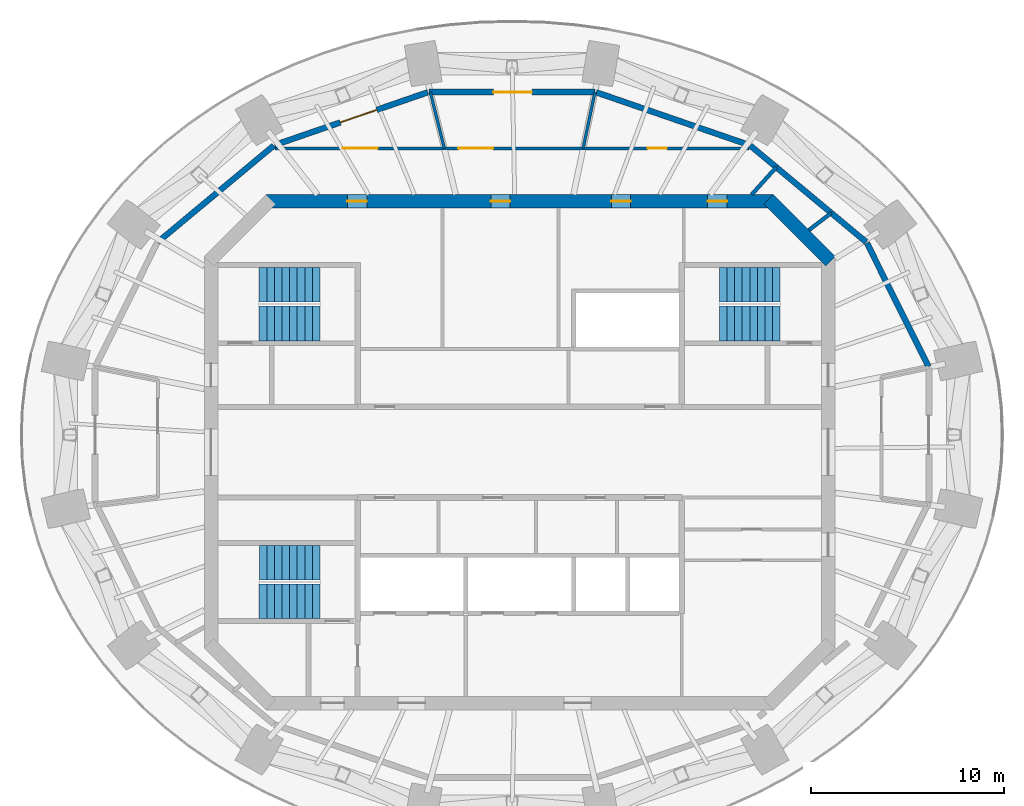
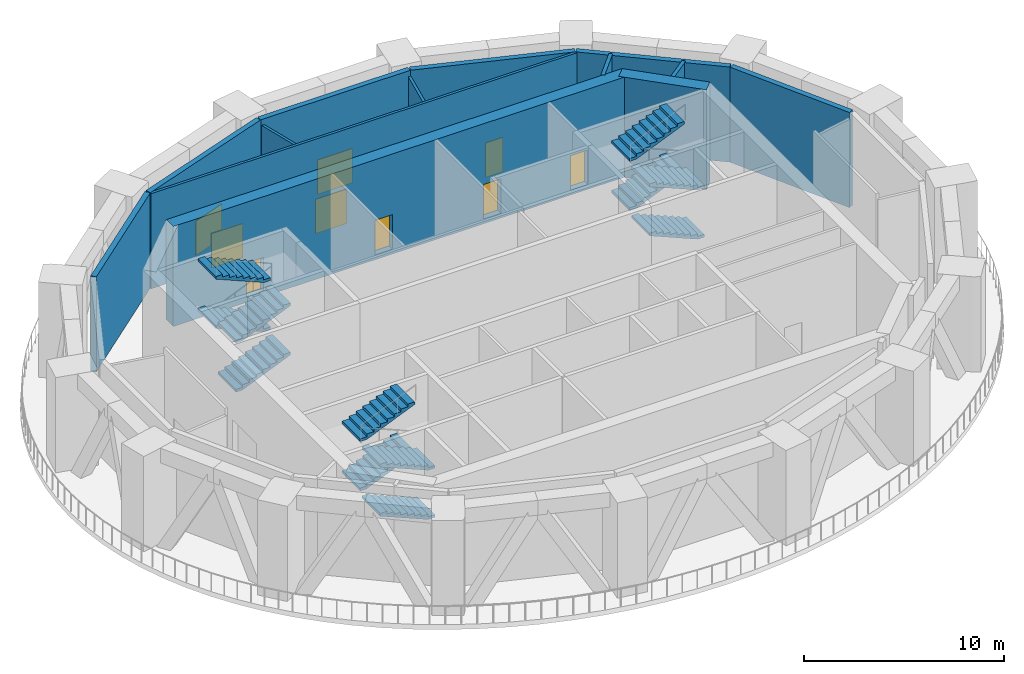
# One storey, part 6 of 9: 15 walls, 12 stair flights, 9 doors, 9 openings, 3 elements without a shape of their own.
"""IFC4 building model written with IfcOpenShell, lengths in metres."""

from ifc_helpers import new_model, si_unit, direction, frame, frame_2d, origin, place, context, subcontext, project, spatial, polyline, rectangle, outline, extrude, material, layer, layer_set, type_object, element, fill, aggregate, save


model = new_model("IFC4")

# Units and contexts
model_context = context("Model", 3, precision=1e-05, world=origin(), true_north=direction((0.0, 1.0)))
body_context = subcontext(model_context, "Body", "Model", "MODEL_VIEW")
ifc_project = project(units=[si_unit("LENGTHUNIT", "METRE"), si_unit("AREAUNIT", "SQUARE_METRE"), si_unit("VOLUMEUNIT", "CUBIC_METRE"), si_unit("PLANEANGLEUNIT", "RADIAN"), si_unit("MASSUNIT", "GRAM", prefix="KILO")], contexts=[model_context])

# Site, building, storey
site_placement = place(None, origin())
site = spatial("IfcSite", under=ifc_project, at=site_placement, CompositionType="ELEMENT")
building_placement = place(site_placement, origin())
building = spatial("IfcBuilding", under=site, at=building_placement, Name="Marenthal Gate Tower", CompositionType="ELEMENT")
storey_placement = place(building_placement, frame((0.0, 0.0, 407.550048828125)))
storey = spatial("IfcBuildingStorey", under=building, at=storey_placement, Name="L92", CompositionType="ELEMENT", Elevation=407.550048828125)

# Wall
ifc_material_1 = material(Name="Concrete 60 MPa", Category="concrete")
ifc_layer_1 = layer(ifc_material_1, 0.699951171875)
ifc_layer_set_1 = layer_set([ifc_layer_1], Name="Core shear wall 700")
wall_type_1 = type_object("IfcWallType", Name="Core shear wall 700", PredefinedType="SHEAR", material=ifc_layer_set_1)
wall_1_placement = place(storey_placement, frame((16.1025390625, 9.8974609375, -0.300048828125), z_axis=(0.0, 0.0, 1.0), x_axis=(-0.707106781187, 0.707106781187, 0.0)))
element("IfcWall", 1, at=wall_1_placement, inside=storey, type_object=wall_type_1, Name="Core wall 03", PredefinedType="SHEAR", context=body_context, shape_type="SweptSolid", body=[
    extrude(rectangle(XDim=4.53271484375, YDim=0.699951171875, at=frame_2d((2.266357421875, 0.0))), origin(), (0.0, 0.0, 1.0), 6.10009765625),
])

# Wall, openings, doors
wall_2_placement = place(storey_placement, frame((13.14501953125, 13.0, -0.300048828125), z_axis=(0.0, 0.0, 1.0), x_axis=(-1.0, 0.0, 0.0)))
wall_2 = element("IfcWall", 2, at=wall_2_placement, inside=storey, type_object=wall_type_1, Name="Core wall 04", PredefinedType="SHEAR", context=body_context, shape_type="SweptSolid", body=[
    extrude(rectangle(XDim=26.2900390625, YDim=0.699951171875, at=frame_2d((13.14501953125, 0.0))), origin(), (0.0, 0.0, 1.0), 6.10009765625),
])
opening_1_placement = place(wall_2_placement, frame((21.07275390625, 0.0, 0.300048828125)))
opening_1 = element("IfcOpeningElement", 3, at=opening_1_placement, cuts=wall_2, Name="Opening D005.03", PredefinedType="OPENING", context=body_context, shape_type="SweptSolid", body=[
    extrude(rectangle(XDim=1.0, YDim=2.10009765625, at=frame_2d((0.5, 1.050048828125))), frame((0.0, 0.35986328125, 0.0), z_axis=(0.0, -1.0, 0.0), x_axis=(1.0, 0.0, 0.0)), (0.0, 0.0, 1.0), 0.719970703125),
])
opening_2_placement = place(wall_2_placement, frame((13.64501953125, 0.0, 0.300048828125)))
opening_2 = element("IfcOpeningElement", 4, at=opening_2_placement, cuts=wall_2, Name="Opening D005.04", PredefinedType="OPENING", context=body_context, shape_type="SweptSolid", body=[
    extrude(rectangle(XDim=1.0, YDim=2.10009765625, at=frame_2d((0.5, 1.050048828125))), frame((0.0, 0.35986328125, 0.0), z_axis=(0.0, -1.0, 0.0), x_axis=(1.0, 0.0, 0.0)), (0.0, 0.0, 1.0), 0.719970703125),
])
opening_3_placement = place(wall_2_placement, frame((7.39501953125, 0.0, 0.300048828125)))
opening_3 = element("IfcOpeningElement", 5, at=opening_3_placement, cuts=wall_2, Name="Opening D005.05", PredefinedType="OPENING", context=body_context, shape_type="SweptSolid", body=[
    extrude(rectangle(XDim=1.0, YDim=2.10009765625, at=frame_2d((0.5, 1.050048828125))), frame((0.0, 0.35986328125, 0.0), z_axis=(0.0, -1.0, 0.0), x_axis=(1.0, 0.0, 0.0)), (0.0, 0.0, 1.0), 0.719970703125),
])
opening_4_placement = place(wall_2_placement, frame((2.39990234375, 0.0, 0.300048828125)))
opening_4 = element("IfcOpeningElement", 6, at=opening_4_placement, cuts=wall_2, Name="Opening D005.06", PredefinedType="OPENING", context=body_context, shape_type="SweptSolid", body=[
    extrude(rectangle(XDim=1.0, YDim=2.10009765625, at=frame_2d((0.5, 1.050048828125))), frame((0.0, 0.35986328125, 0.0), z_axis=(0.0, -1.0, 0.0), x_axis=(1.0, 0.0, 0.0)), (0.0, 0.0, 1.0), 0.719970703125),
])
ifc_material_2 = material(Name="Steel fire door", Category="steel")
door_type_1 = type_object("IfcDoorType", Name="Fire door FD 45 1000 x 2100", OperationType="NOTDEFINED", PredefinedType="DOOR", material=ifc_material_2)
door_1_placement = place(opening_1_placement, origin())
door_1 = element("IfcDoor", 7, at=door_1_placement, inside=storey, type_object=door_type_1, Name="Door D005.03", OperationType="SINGLE_SWING_RIGHT", OverallHeight=2.10009765625, OverallWidth=1.0, PredefinedType="DOOR", context=body_context, shape_type="SweptSolid", body=[
    extrude(rectangle(XDim=1.0, YDim=2.10009765625, at=frame_2d((0.5, 1.050048828125))), frame((0.0, 0.02490234375, 0.0), z_axis=(0.0, -1.0, 0.0), x_axis=(1.0, 0.0, 0.0)), (0.0, 0.0, 1.0), 0.050048828125),
])
fill(opening_1, door_1)
door_2_placement = place(opening_2_placement, origin())
door_2 = element("IfcDoor", 8, at=door_2_placement, inside=storey, type_object=door_type_1, Name="Door D005.04", OperationType="SINGLE_SWING_RIGHT", OverallHeight=2.10009765625, OverallWidth=1.0, PredefinedType="DOOR", context=body_context, shape_type="SweptSolid", body=[
    extrude(rectangle(XDim=1.0, YDim=2.10009765625, at=frame_2d((0.5, 1.050048828125))), frame((0.0, 0.02490234375, 0.0), z_axis=(0.0, -1.0, 0.0), x_axis=(1.0, 0.0, 0.0)), (0.0, 0.0, 1.0), 0.050048828125),
])
fill(opening_2, door_2)
door_3_placement = place(opening_3_placement, origin())
door_3 = element("IfcDoor", 9, at=door_3_placement, inside=storey, type_object=door_type_1, Name="Door D005.05", OperationType="SINGLE_SWING_RIGHT", OverallHeight=2.10009765625, OverallWidth=1.0, PredefinedType="DOOR", context=body_context, shape_type="SweptSolid", body=[
    extrude(rectangle(XDim=1.0, YDim=2.10009765625, at=frame_2d((0.5, 1.050048828125))), frame((0.0, 0.02490234375, 0.0), z_axis=(0.0, -1.0, 0.0), x_axis=(1.0, 0.0, 0.0)), (0.0, 0.0, 1.0), 0.050048828125),
])
fill(opening_3, door_3)
door_4_placement = place(opening_4_placement, origin())
door_4 = element("IfcDoor", 10, at=door_4_placement, inside=storey, type_object=door_type_1, Name="Door D005.06", OperationType="SINGLE_SWING_RIGHT", OverallHeight=2.10009765625, OverallWidth=1.0, PredefinedType="DOOR", context=body_context, shape_type="SweptSolid", body=[
    extrude(rectangle(XDim=1.0, YDim=2.10009765625, at=frame_2d((0.5, 1.050048828125))), frame((0.0, 0.02490234375, 0.0), z_axis=(0.0, -1.0, 0.0), x_axis=(1.0, 0.0, 0.0)), (0.0, 0.0, 1.0), 0.050048828125),
])
fill(opening_4, door_4)

# Wall
ifc_material_3 = material(Name="Concrete 40 MPa", Category="concrete")
ifc_layer_2 = layer(ifc_material_3, 0.300048828125)
ifc_layer_set_2 = layer_set([ifc_layer_2], Name="External wall 300")
wall_type_2 = type_object("IfcWallType", Name="External wall 300", PredefinedType="STANDARD", material=ifc_layer_set_2)
wall_3_placement = place(storey_placement, frame((16.14501953125, 12.399658203125, 0.0), z_axis=(0.0, 0.0, 1.0), x_axis=(-0.768729274682, 0.63957431331, 0.0)))
element("IfcWall", 11, at=wall_3_placement, inside=storey, type_object=wall_type_2, Name="External wall 52", PredefinedType="STANDARD", context=body_context, shape_type="SweptSolid", body=[
    extrude(rectangle(XDim=3.701171875, YDim=0.300048828125, at=frame_2d((1.8505859375, 0.0))), origin(), (0.0, 0.0, 1.0), 5.800048828125),
])

# Wall, opening, door
wall_4_placement = place(storey_placement, frame((-4.714111328125, 18.66162109375, 0.0), z_axis=(0.0, 0.0, 1.0), x_axis=(1.0, 0.0, 0.0)))
wall_4 = element("IfcWall", 12, at=wall_4_placement, inside=storey, type_object=wall_type_2, Name="External wall 54", PredefinedType="STANDARD", context=body_context, shape_type="SweptSolid", body=[
    extrude(rectangle(XDim=8.628173828125, YDim=0.300048828125, at=frame_2d((4.31396484375, 0.0))), origin(), (0.0, 0.0, 1.0), 5.800048828125),
])
opening_5_placement = place(wall_4_placement, frame((3.3466796875, 0.0, 0.0)))
opening_5 = element("IfcOpeningElement", 13, at=opening_5_placement, cuts=wall_4, Name="Opening D018.01", PredefinedType="OPENING", context=body_context, shape_type="SweptSolid", body=[
    extrude(rectangle(XDim=2.0, YDim=2.10009765625, at=frame_2d((1.0, 1.050048828125))), frame((0.0, 0.16015625, 0.0), z_axis=(0.0, -1.0, 0.0), x_axis=(1.0, 0.0, 0.0)), (0.0, 0.0, 1.0), 0.320068359375),
])
ifc_material_4 = material(Name="Steel fire door", Category="steel")
door_type_2 = type_object("IfcDoorType", Name="Double fire door FD 45 2000 x 2100", OperationType="DOUBLE_DOOR_SINGLE_SWING", PredefinedType="DOOR", material=ifc_material_4)
door_5_placement = place(opening_5_placement, origin())
door_5 = element("IfcDoor", 14, at=door_5_placement, inside=storey, type_object=door_type_2, Name="Door D018.01", OperationType="DOUBLE_DOOR_SINGLE_SWING", OverallHeight=2.10009765625, OverallWidth=2.0, PredefinedType="DOOR", context=body_context, shape_type="SweptSolid", body=[
    extrude(rectangle(XDim=2.0, YDim=2.10009765625, at=frame_2d((1.0, 1.050048828125))), frame((0.0, 0.02490234375, 0.0), z_axis=(0.0, -1.0, 0.0), x_axis=(1.0, 0.0, 0.0)), (0.0, 0.0, 1.0), 0.050048828125),
])
fill(opening_5, door_5)

wall_5_placement = place(storey_placement, frame((-12.702392578125, 15.9169921875, 0.0), z_axis=(0.0, 0.0, 1.0), x_axis=(0.945424873084, 0.32584015921, 0.0)))
wall_5 = element("IfcWall", 15, at=wall_5_placement, inside=storey, type_object=wall_type_2, Name="External wall 55", PredefinedType="STANDARD", context=body_context, shape_type="SweptSolid", body=[
    extrude(rectangle(XDim=8.397705078125, YDim=0.300048828125, at=frame_2d((4.19873046875, 0.0))), origin(), (0.0, 0.0, 1.0), 5.800048828125),
])
opening_6_placement = place(wall_5_placement, frame((3.6005859375, 0.0, 0.0)))
opening_6 = element("IfcOpeningElement", 16, at=opening_6_placement, cuts=wall_5, Name="Opening D018.02", PredefinedType="OPENING", context=body_context, shape_type="SweptSolid", body=[
    extrude(rectangle(XDim=2.0, YDim=2.10009765625, at=frame_2d((1.0, 1.050048828125))), frame((0.0, 0.16015625, 0.0), z_axis=(0.0, -1.0, 0.0), x_axis=(1.0, 0.0, 0.0)), (0.0, 0.0, 1.0), 0.320068359375),
])
door_6_placement = place(opening_6_placement, origin())
door_6 = element("IfcDoor", 17, at=door_6_placement, inside=storey, type_object=door_type_2, Name="Door D018.02", OperationType="DOUBLE_DOOR_SINGLE_SWING", OverallHeight=2.10009765625, OverallWidth=2.0, PredefinedType="DOOR", context=body_context, shape_type="SweptSolid", body=[
    extrude(rectangle(XDim=2.0, YDim=2.10009765625, at=frame_2d((1.0, 1.050048828125))), frame((0.0, 0.02490234375, 0.0), z_axis=(0.0, -1.0, 0.0), x_axis=(1.0, 0.0, 0.0)), (0.0, 0.0, 1.0), 0.050048828125),
])
fill(opening_6, door_6)

# Walls
wall_6_placement = place(storey_placement, frame((11.902587890625, 15.9169921875, 0.0), z_axis=(0.0, 0.0, 1.0), x_axis=(-0.945427959595, 0.325831203565, 0.0)))
element("IfcWall", 18, at=wall_6_placement, inside=storey, type_object=wall_type_2, Name="External wall 58", PredefinedType="STANDARD", context=body_context, shape_type="SweptSolid", body=[
    extrude(rectangle(XDim=8.39794921875, YDim=0.300048828125, at=frame_2d((4.198974609375, 0.0))), origin(), (0.0, 0.0, 1.0), 5.800048828125),
])
wall_7_placement = place(storey_placement, frame((-18.75537109375, 10.893310546875, 0.0), z_axis=(0.0, 0.0, 1.0), x_axis=(0.768712832432, 0.639594075375, 0.0)))
element("IfcWall", 19, at=wall_7_placement, inside=storey, type_object=wall_type_2, Name="External wall 63", PredefinedType="STANDARD", context=body_context, shape_type="SweptSolid", body=[
    extrude(rectangle(XDim=7.81298828125, YDim=0.300048828125, at=frame_2d((3.906494140625, 0.0))), origin(), (0.0, 0.0, 1.0), 5.800048828125),
])
wall_8_placement = place(storey_placement, frame((21.185791015625, 4.432861328125, 0.0), z_axis=(0.0, 0.0, 1.0), x_axis=(-0.445631337991, 0.895216571898, 0.0)))
element("IfcWall", 20, at=wall_8_placement, inside=storey, type_object=wall_type_2, Name="External wall 66", PredefinedType="STANDARD", context=body_context, shape_type="SweptSolid", body=[
    extrude(rectangle(XDim=7.16259765625, YDim=0.300048828125, at=frame_2d((3.581298828125, 0.0))), origin(), (0.0, 0.0, 1.0), 5.800048828125),
])
wall_9_placement = place(storey_placement, frame((17.955322265625, 10.893310546875, 0.0), z_axis=(0.0, 0.0, 1.0), x_axis=(-0.768688803044, 0.639622954618, 0.0)))
element("IfcWall", 21, at=wall_9_placement, inside=storey, type_object=wall_type_2, Name="External wall 68", PredefinedType="STANDARD", context=body_context, shape_type="SweptSolid", body=[
    extrude(rectangle(XDim=2.35302734375, YDim=0.300048828125, at=frame_2d((1.176513671875, 0.0))), origin(), (0.0, 0.0, 1.0), 5.800048828125),
])
wall_10_placement = place(storey_placement, frame((13.29833984375, 14.768310546875, 0.0), z_axis=(0.0, 0.0, 1.0), x_axis=(-0.768722934059, 0.639581934275, 0.0)))
element("IfcWall", 22, at=wall_10_placement, inside=storey, type_object=wall_type_2, Name="External wall 69", PredefinedType="STANDARD", context=body_context, shape_type="SweptSolid", body=[
    extrude(rectangle(XDim=1.75439453125, YDim=0.300048828125, at=frame_2d((0.877197265625, 0.0))), origin(), (0.0, 0.0, 1.0), 5.800048828125),
])

# Wall, openings, doors
ifc_material_5 = material(Name="Gypsum board on steel studs", Category="steel")
ifc_layer_3 = layer(ifc_material_5, 0.14990234375)
ifc_layer_set_3 = layer_set([ifc_layer_3], Name="Partition 150")
wall_type_3 = type_object("IfcWallType", Name="Partition 150", PredefinedType="PARTITIONING", material=ifc_layer_set_3)
wall_11_placement = place(storey_placement, frame((-12.683837890625, 15.75, 0.0), z_axis=(0.0, 0.0, 1.0), x_axis=(1.0, 0.0, 0.0)))
wall_11 = element("IfcWall", 23, at=wall_11_placement, inside=storey, type_object=wall_type_3, Name="Partition wall 73", PredefinedType="PARTITIONING", context=body_context, shape_type="SweptSolid", body=[
    extrude(rectangle(XDim=24.56787109375, YDim=0.14990234375, at=frame_2d((12.283935546875, 0.0))), origin(), (0.0, 0.0, 1.0), 5.800048828125),
])
opening_7_placement = place(wall_11_placement, frame((19.317138671875, 0.0, 0.0)))
opening_7 = element("IfcOpeningElement", 24, at=opening_7_placement, cuts=wall_11, Name="Opening D005.13", PredefinedType="OPENING", context=body_context, shape_type="SweptSolid", body=[
    extrude(rectangle(XDim=1.0, YDim=2.10009765625, at=frame_2d((0.5, 1.050048828125))), frame((0.0, 0.0849609375, 0.0), z_axis=(0.0, -1.0, 0.0), x_axis=(1.0, 0.0, 0.0)), (0.0, 0.0, 1.0), 0.169921875),
])
opening_8_placement = place(wall_11_placement, frame((9.5048828125, 0.0, 0.0)))
opening_8 = element("IfcOpeningElement", 25, at=opening_8_placement, cuts=wall_11, Name="Opening D007.01", PredefinedType="OPENING", context=body_context, shape_type="SweptSolid", body=[
    extrude(rectangle(XDim=1.800048828125, YDim=2.10009765625, at=frame_2d((0.89990234375, 1.050048828125))), frame((0.0, 0.0849609375, 0.0), z_axis=(0.0, -1.0, 0.0), x_axis=(1.0, 0.0, 0.0)), (0.0, 0.0, 1.0), 0.169921875),
])
opening_9_placement = place(wall_11_placement, frame((3.52392578125, 0.0, 0.0)))
opening_9 = element("IfcOpeningElement", 26, at=opening_9_placement, cuts=wall_11, Name="Opening D007.02", PredefinedType="OPENING", context=body_context, shape_type="SweptSolid", body=[
    extrude(rectangle(XDim=1.800048828125, YDim=2.10009765625, at=frame_2d((0.89990234375, 1.050048828125))), frame((0.0, 0.0849609375, 0.0), z_axis=(0.0, -1.0, 0.0), x_axis=(1.0, 0.0, 0.0)), (0.0, 0.0, 1.0), 0.169921875),
])
ifc_material_6 = material(Name="Steel fire door", Category="steel")
door_type_3 = type_object("IfcDoorType", Name="Double fire door FD 45 1800 x 2100", OperationType="DOUBLE_DOOR_SINGLE_SWING", PredefinedType="DOOR", material=ifc_material_6)
door_7_placement = place(opening_8_placement, origin())
door_7 = element("IfcDoor", 27, at=door_7_placement, inside=storey, type_object=door_type_3, Name="Door D007.01", OperationType="DOUBLE_DOOR_SINGLE_SWING", OverallHeight=2.10009765625, OverallWidth=1.800048828125, PredefinedType="DOOR", context=body_context, shape_type="SweptSolid", body=[
    extrude(rectangle(XDim=1.800048828125, YDim=2.10009765625, at=frame_2d((0.89990234375, 1.050048828125))), frame((0.0, 0.02490234375, 0.0), z_axis=(0.0, -1.0, 0.0), x_axis=(1.0, 0.0, 0.0)), (0.0, 0.0, 1.0), 0.050048828125),
])
fill(opening_8, door_7)
door_8_placement = place(opening_9_placement, origin())
door_8 = element("IfcDoor", 28, at=door_8_placement, inside=storey, type_object=door_type_3, Name="Door D007.02", OperationType="DOUBLE_DOOR_SINGLE_SWING", OverallHeight=2.10009765625, OverallWidth=1.800048828125, PredefinedType="DOOR", context=body_context, shape_type="SweptSolid", body=[
    extrude(rectangle(XDim=1.800048828125, YDim=2.10009765625, at=frame_2d((0.89990234375, 1.050048828125))), frame((0.0, 0.02490234375, 0.0), z_axis=(0.0, -1.0, 0.0), x_axis=(1.0, 0.0, 0.0)), (0.0, 0.0, 1.0), 0.050048828125),
])
fill(opening_9, door_8)
door_9_placement = place(opening_7_placement, origin())
door_9 = element("IfcDoor", 29, at=door_9_placement, inside=storey, type_object=door_type_1, Name="Door D005.13", OperationType="SINGLE_SWING_RIGHT", OverallHeight=2.10009765625, OverallWidth=1.0, PredefinedType="DOOR", context=body_context, shape_type="SweptSolid", body=[
    extrude(rectangle(XDim=1.0, YDim=2.10009765625, at=frame_2d((0.5, 1.050048828125))), frame((0.0, 0.02490234375, 0.0), z_axis=(0.0, -1.0, 0.0), x_axis=(1.0, 0.0, 0.0)), (0.0, 0.0, 1.0), 0.050048828125),
])
fill(opening_7, door_9)

# Walls
wall_12_placement = place(storey_placement, frame((3.288818359375, 15.75, 0.0), z_axis=(0.0, 0.0, 1.0), x_axis=(0.204458992869, 0.978875130052, 0.0)))
element("IfcWall", 30, at=wall_12_placement, inside=storey, type_object=wall_type_3, Name="Partition wall 76", PredefinedType="PARTITIONING", context=body_context, shape_type="SweptSolid", body=[
    extrude(rectangle(XDim=2.974365234375, YDim=0.14990234375, at=frame_2d((1.4873046875, 0.0))), origin(), (0.0, 0.0, 1.0), 5.447021484375),
])
wall_13_placement = place(storey_placement, frame((-3.908935546875, 15.75, 0.0), z_axis=(0.0, 0.0, 1.0), x_axis=(-0.240888502077, 0.970552795868, 0.0)))
element("IfcWall", 31, at=wall_13_placement, inside=storey, type_object=wall_type_3, Name="Partition wall 79", PredefinedType="PARTITIONING", context=body_context, shape_type="SweptSolid", body=[
    extrude(rectangle(XDim=3.0, YDim=0.14990234375, at=frame_2d((1.5, 0.0))), origin(), (0.0, 0.0, 1.0), 5.447021484375),
])
ifc_material_7 = material(Name="Gypsum board on steel studs", Category="steel")
ifc_layer_4 = layer(ifc_material_7, 0.199951171875)
ifc_layer_set_4 = layer_set([ifc_layer_4], Name="Partition 200")
wall_type_4 = type_object("IfcWallType", Name="Partition 200", PredefinedType="PARTITIONING", material=ifc_layer_set_4)
wall_14_placement = place(storey_placement, frame((14.987060546875, 11.508056640625, 0.0), z_axis=(0.0, 0.0, 1.0), x_axis=(0.793114198042, 0.609072958572, 0.0)))
element("IfcWall", 32, at=wall_14_placement, inside=storey, type_object=wall_type_4, Name="Partition wall 83", PredefinedType="PARTITIONING", context=body_context, shape_type="SweptSolid", body=[
    extrude(rectangle(XDim=1.4619140625, YDim=0.199951171875, at=frame_2d((0.73095703125, 0.0))), origin(), (0.0, 0.0, 1.0), 5.800048828125),
])
wall_15_placement = place(storey_placement, frame((12.021484375, 13.35009765625, 0.0), z_axis=(0.0, 0.0, 1.0), x_axis=(0.669099016905, 0.743173267534, 0.0)))
element("IfcWall", 33, at=wall_15_placement, inside=storey, type_object=wall_type_4, Name="Partition wall 85", PredefinedType="PARTITIONING", context=body_context, shape_type="SweptSolid", body=[
    extrude(rectangle(XDim=1.908203125, YDim=0.199951171875, at=frame_2d((0.9541015625, 0.0))), origin(), (0.0, 0.0, 1.0), 5.800048828125),
])

# Stair, stair flights
ifc_material_8 = material(Name="Concrete 40 MPa", Category="concrete")
stair_type = type_object("IfcStairType", Name="Exit stair 1800", PredefinedType="HALF_TURN_STAIR", material=ifc_material_8)
stair_1_placement = place(storey_placement, origin())
stair_1 = element("IfcStair", 34, at=stair_1_placement, inside=storey, type_object=stair_type, Name="Stair ST1", PredefinedType="HALF_TURN_STAIR")
ifc_material_9 = material(Name="Concrete 40 MPa", Category="concrete")
stair_flight_type = type_object("IfcStairFlightType", Name="Stair flight 1800", PredefinedType="STRAIGHT", material=ifc_material_9)
stair_flight_1_placement = place(storey_placement, frame((-13.5, 6.675048828125, 0.0), z_axis=(0.0, 0.0, 1.0), x_axis=(1.0, 0.0, 0.0)))
stair_flight_1 = element("IfcStairFlight", 35, at=stair_flight_1_placement, type_object=stair_flight_type, Name="ST1 flight 1", NumberOfRisers=9, NumberOfTreads=8, PredefinedType="STRAIGHT", RiserHeight=0.166666667, TreadLength=0.3937, context=body_context, shape_type="SweptSolid", body=[
    extrude(outline(polyline([(0.0, 0.0), (0.0, 0.166748046875), (0.393798828125, 0.166748046875), (0.393798828125, 0.333251953125), (0.787353515625, 0.333251953125), (0.787353515625, 0.5), (1.18115234375, 0.5), (1.18115234375, 0.666748046875), (1.57470703125, 0.666748046875), (1.57470703125, 0.833251953125), (1.968505859375, 0.833251953125), (1.968505859375, 1.0), (2.3623046875, 1.0), (2.3623046875, 1.166748046875), (2.755859375, 1.166748046875), (2.755859375, 1.333251953125), (3.149658203125, 1.333251953125), (3.149658203125, 1.5), (3.149658203125, 1.170654296875), (0.384521484375, 0.0), (0.0, 0.0)])), frame((0.0, 0.89990234375, 0.0), z_axis=(0.0, -1.0, 0.0), x_axis=(1.0, 0.0, 0.0)), (0.0, 0.0, 1.0), 1.800048828125),
])
stair_flight_2_placement = place(storey_placement, frame((-10.350341796875, 8.675048828125, 1.5), z_axis=(0.0, 0.0, 1.0), x_axis=(-1.0, 0.0, 0.0)))
stair_flight_2 = element("IfcStairFlight", 36, at=stair_flight_2_placement, type_object=stair_flight_type, Name="ST1 flight 2", NumberOfRisers=9, NumberOfTreads=8, PredefinedType="STRAIGHT", RiserHeight=0.166666667, TreadLength=0.3937, context=body_context, shape_type="SweptSolid", body=[
    extrude(outline(polyline([(0.0, 0.0), (0.0, 0.166748046875), (0.393798828125, 0.166748046875), (0.393798828125, 0.333251953125), (0.787353515625, 0.333251953125), (0.787353515625, 0.5), (1.18115234375, 0.5), (1.18115234375, 0.666748046875), (1.57470703125, 0.666748046875), (1.57470703125, 0.833251953125), (1.968505859375, 0.833251953125), (1.968505859375, 1.0), (2.3623046875, 1.0), (2.3623046875, 1.166748046875), (2.755859375, 1.166748046875), (2.755859375, 1.333251953125), (3.149658203125, 1.333251953125), (3.149658203125, 1.5), (3.149658203125, 1.170654296875), (0.384521484375, 0.0), (0.0, 0.0)])), frame((0.0, 0.89990234375, 0.0), z_axis=(0.0, -1.0, 0.0), x_axis=(1.0, 0.0, 0.0)), (0.0, 0.0, 1.0), 1.800048828125),
])
stair_flight_3_placement = place(storey_placement, frame((-13.5, 6.675048828125, 3.0), z_axis=(0.0, 0.0, 1.0), x_axis=(1.0, 0.0, 0.0)))
stair_flight_3 = element("IfcStairFlight", 37, at=stair_flight_3_placement, type_object=stair_flight_type, Name="ST1 flight 3", NumberOfRisers=9, NumberOfTreads=8, PredefinedType="STRAIGHT", RiserHeight=0.166666667, TreadLength=0.3937, context=body_context, shape_type="SweptSolid", body=[
    extrude(outline(polyline([(0.0, 0.0), (0.0, 0.166748046875), (0.393798828125, 0.166748046875), (0.393798828125, 0.333251953125), (0.787353515625, 0.333251953125), (0.787353515625, 0.5), (1.18115234375, 0.5), (1.18115234375, 0.666748046875), (1.57470703125, 0.666748046875), (1.57470703125, 0.833251953125), (1.968505859375, 0.833251953125), (1.968505859375, 1.0), (2.3623046875, 1.0), (2.3623046875, 1.166748046875), (2.755859375, 1.166748046875), (2.755859375, 1.333251953125), (3.149658203125, 1.333251953125), (3.149658203125, 1.5), (3.149658203125, 1.170654296875), (0.384521484375, 0.0), (0.0, 0.0)])), frame((0.0, 0.89990234375, 0.0), z_axis=(0.0, -1.0, 0.0), x_axis=(1.0, 0.0, 0.0)), (0.0, 0.0, 1.0), 1.800048828125),
])
stair_flight_4_placement = place(storey_placement, frame((-10.350341796875, 8.675048828125, 4.5), z_axis=(0.0, 0.0, 1.0), x_axis=(-1.0, 0.0, 0.0)))
stair_flight_4 = element("IfcStairFlight", 38, at=stair_flight_4_placement, type_object=stair_flight_type, Name="ST1 flight 4", NumberOfRisers=9, NumberOfTreads=8, PredefinedType="STRAIGHT", RiserHeight=0.166666667, TreadLength=0.3937, context=body_context, shape_type="SweptSolid", body=[
    extrude(outline(polyline([(0.0, 0.0), (0.0, 0.166748046875), (0.393798828125, 0.166748046875), (0.393798828125, 0.333251953125), (0.787353515625, 0.333251953125), (0.787353515625, 0.5), (1.18115234375, 0.5), (1.18115234375, 0.666748046875), (1.57470703125, 0.666748046875), (1.57470703125, 0.833251953125), (1.968505859375, 0.833251953125), (1.968505859375, 1.0), (2.3623046875, 1.0), (2.3623046875, 1.166748046875), (2.755859375, 1.166748046875), (2.755859375, 1.333251953125), (3.149658203125, 1.333251953125), (3.149658203125, 1.5), (3.149658203125, 1.170654296875), (0.384521484375, 0.0), (0.0, 0.0)])), frame((0.0, 0.89990234375, 0.0), z_axis=(0.0, -1.0, 0.0), x_axis=(1.0, 0.0, 0.0)), (0.0, 0.0, 1.0), 1.800048828125),
])
aggregate(stair_1, [stair_flight_1, stair_flight_2, stair_flight_3, stair_flight_4])

stair_2_placement = place(storey_placement, origin())
stair_2 = element("IfcStair", 39, at=stair_2_placement, inside=storey, type_object=stair_type, Name="Stair ST2", PredefinedType="HALF_TURN_STAIR")
stair_flight_5_placement = place(storey_placement, frame((-10.35009765625, -7.72509765625, 0.0), z_axis=(0.0, 0.0, 1.0), x_axis=(-1.0, 0.0, 0.0)))
stair_flight_5 = element("IfcStairFlight", 40, at=stair_flight_5_placement, type_object=stair_flight_type, Name="ST2 flight 1", NumberOfRisers=9, NumberOfTreads=8, PredefinedType="STRAIGHT", RiserHeight=0.166666667, TreadLength=0.3937, context=body_context, shape_type="SweptSolid", body=[
    extrude(outline(polyline([(0.0, 0.0), (0.0, 0.166748046875), (0.393798828125, 0.166748046875), (0.393798828125, 0.333251953125), (0.787353515625, 0.333251953125), (0.787353515625, 0.5), (1.18115234375, 0.5), (1.18115234375, 0.666748046875), (1.57470703125, 0.666748046875), (1.57470703125, 0.833251953125), (1.968505859375, 0.833251953125), (1.968505859375, 1.0), (2.3623046875, 1.0), (2.3623046875, 1.166748046875), (2.755859375, 1.166748046875), (2.755859375, 1.333251953125), (3.149658203125, 1.333251953125), (3.149658203125, 1.5), (3.149658203125, 1.170654296875), (0.384521484375, 0.0), (0.0, 0.0)])), frame((0.0, 0.89990234375, 0.0), z_axis=(0.0, -1.0, 0.0), x_axis=(1.0, 0.0, 0.0)), (0.0, 0.0, 1.0), 1.800048828125),
])
stair_flight_6_placement = place(storey_placement, frame((-13.49951171875, -5.72509765625, 1.5), z_axis=(0.0, 0.0, 1.0), x_axis=(1.0, 0.0, 0.0)))
stair_flight_6 = element("IfcStairFlight", 41, at=stair_flight_6_placement, type_object=stair_flight_type, Name="ST2 flight 2", NumberOfRisers=9, NumberOfTreads=8, PredefinedType="STRAIGHT", RiserHeight=0.166666667, TreadLength=0.3937, context=body_context, shape_type="SweptSolid", body=[
    extrude(outline(polyline([(0.0, 0.0), (0.0, 0.166748046875), (0.393798828125, 0.166748046875), (0.393798828125, 0.333251953125), (0.787353515625, 0.333251953125), (0.787353515625, 0.5), (1.18115234375, 0.5), (1.18115234375, 0.666748046875), (1.57470703125, 0.666748046875), (1.57470703125, 0.833251953125), (1.968505859375, 0.833251953125), (1.968505859375, 1.0), (2.3623046875, 1.0), (2.3623046875, 1.166748046875), (2.755859375, 1.166748046875), (2.755859375, 1.333251953125), (3.149658203125, 1.333251953125), (3.149658203125, 1.5), (3.149658203125, 1.170654296875), (0.384521484375, 0.0), (0.0, 0.0)])), frame((0.0, 0.89990234375, 0.0), z_axis=(0.0, -1.0, 0.0), x_axis=(1.0, 0.0, 0.0)), (0.0, 0.0, 1.0), 1.800048828125),
])
stair_flight_7_placement = place(storey_placement, frame((-10.35009765625, -7.72509765625, 3.0), z_axis=(0.0, 0.0, 1.0), x_axis=(-1.0, 0.0, 0.0)))
stair_flight_7 = element("IfcStairFlight", 42, at=stair_flight_7_placement, type_object=stair_flight_type, Name="ST2 flight 3", NumberOfRisers=9, NumberOfTreads=8, PredefinedType="STRAIGHT", RiserHeight=0.166666667, TreadLength=0.3937, context=body_context, shape_type="SweptSolid", body=[
    extrude(outline(polyline([(0.0, 0.0), (0.0, 0.166748046875), (0.393798828125, 0.166748046875), (0.393798828125, 0.333251953125), (0.787353515625, 0.333251953125), (0.787353515625, 0.5), (1.18115234375, 0.5), (1.18115234375, 0.666748046875), (1.57470703125, 0.666748046875), (1.57470703125, 0.833251953125), (1.968505859375, 0.833251953125), (1.968505859375, 1.0), (2.3623046875, 1.0), (2.3623046875, 1.166748046875), (2.755859375, 1.166748046875), (2.755859375, 1.333251953125), (3.149658203125, 1.333251953125), (3.149658203125, 1.5), (3.149658203125, 1.170654296875), (0.384521484375, 0.0), (0.0, 0.0)])), frame((0.0, 0.89990234375, 0.0), z_axis=(0.0, -1.0, 0.0), x_axis=(1.0, 0.0, 0.0)), (0.0, 0.0, 1.0), 1.800048828125),
])
stair_flight_8_placement = place(storey_placement, frame((-13.49951171875, -5.72509765625, 4.5), z_axis=(0.0, 0.0, 1.0), x_axis=(1.0, 0.0, 0.0)))
stair_flight_8 = element("IfcStairFlight", 43, at=stair_flight_8_placement, type_object=stair_flight_type, Name="ST2 flight 4", NumberOfRisers=9, NumberOfTreads=8, PredefinedType="STRAIGHT", RiserHeight=0.166666667, TreadLength=0.3937, context=body_context, shape_type="SweptSolid", body=[
    extrude(outline(polyline([(0.0, 0.0), (0.0, 0.166748046875), (0.393798828125, 0.166748046875), (0.393798828125, 0.333251953125), (0.787353515625, 0.333251953125), (0.787353515625, 0.5), (1.18115234375, 0.5), (1.18115234375, 0.666748046875), (1.57470703125, 0.666748046875), (1.57470703125, 0.833251953125), (1.968505859375, 0.833251953125), (1.968505859375, 1.0), (2.3623046875, 1.0), (2.3623046875, 1.166748046875), (2.755859375, 1.166748046875), (2.755859375, 1.333251953125), (3.149658203125, 1.333251953125), (3.149658203125, 1.5), (3.149658203125, 1.170654296875), (0.384521484375, 0.0), (0.0, 0.0)])), frame((0.0, 0.89990234375, 0.0), z_axis=(0.0, -1.0, 0.0), x_axis=(1.0, 0.0, 0.0)), (0.0, 0.0, 1.0), 1.800048828125),
])
aggregate(stair_2, [stair_flight_5, stair_flight_6, stair_flight_7, stair_flight_8])

stair_3_placement = place(storey_placement, origin())
stair_3 = element("IfcStair", 44, at=stair_3_placement, inside=storey, type_object=stair_type, Name="Stair ST3", PredefinedType="HALF_TURN_STAIR")
stair_flight_9_placement = place(storey_placement, frame((13.5, 6.675048828125, 0.0), z_axis=(0.0, 0.0, 1.0), x_axis=(-1.0, 0.0, 0.0)))
stair_flight_9 = element("IfcStairFlight", 45, at=stair_flight_9_placement, type_object=stair_flight_type, Name="ST3 flight 1", NumberOfRisers=9, NumberOfTreads=8, PredefinedType="STRAIGHT", RiserHeight=0.166666667, TreadLength=0.3937, context=body_context, shape_type="SweptSolid", body=[
    extrude(outline(polyline([(0.0, 0.0), (0.0, 0.166748046875), (0.393798828125, 0.166748046875), (0.393798828125, 0.333251953125), (0.787353515625, 0.333251953125), (0.787353515625, 0.5), (1.18115234375, 0.5), (1.18115234375, 0.666748046875), (1.57470703125, 0.666748046875), (1.57470703125, 0.833251953125), (1.968505859375, 0.833251953125), (1.968505859375, 1.0), (2.3623046875, 1.0), (2.3623046875, 1.166748046875), (2.755859375, 1.166748046875), (2.755859375, 1.333251953125), (3.149658203125, 1.333251953125), (3.149658203125, 1.5), (3.149658203125, 1.170654296875), (0.384521484375, 0.0), (0.0, 0.0)])), frame((0.0, 0.89990234375, 0.0), z_axis=(0.0, -1.0, 0.0), x_axis=(1.0, 0.0, 0.0)), (0.0, 0.0, 1.0), 1.800048828125),
])
stair_flight_10_placement = place(storey_placement, frame((10.350341796875, 8.675048828125, 1.5), z_axis=(0.0, 0.0, 1.0), x_axis=(1.0, 0.0, 0.0)))
stair_flight_10 = element("IfcStairFlight", 46, at=stair_flight_10_placement, type_object=stair_flight_type, Name="ST3 flight 2", NumberOfRisers=9, NumberOfTreads=8, PredefinedType="STRAIGHT", RiserHeight=0.166666667, TreadLength=0.3937, context=body_context, shape_type="SweptSolid", body=[
    extrude(outline(polyline([(0.0, 0.0), (0.0, 0.166748046875), (0.393798828125, 0.166748046875), (0.393798828125, 0.333251953125), (0.787353515625, 0.333251953125), (0.787353515625, 0.5), (1.18115234375, 0.5), (1.18115234375, 0.666748046875), (1.57470703125, 0.666748046875), (1.57470703125, 0.833251953125), (1.968505859375, 0.833251953125), (1.968505859375, 1.0), (2.3623046875, 1.0), (2.3623046875, 1.166748046875), (2.755859375, 1.166748046875), (2.755859375, 1.333251953125), (3.149658203125, 1.333251953125), (3.149658203125, 1.5), (3.149658203125, 1.170654296875), (0.384521484375, 0.0), (0.0, 0.0)])), frame((0.0, 0.89990234375, 0.0), z_axis=(0.0, -1.0, 0.0), x_axis=(1.0, 0.0, 0.0)), (0.0, 0.0, 1.0), 1.800048828125),
])
stair_flight_11_placement = place(storey_placement, frame((13.5, 6.675048828125, 3.0), z_axis=(0.0, 0.0, 1.0), x_axis=(-1.0, 0.0, 0.0)))
stair_flight_11 = element("IfcStairFlight", 47, at=stair_flight_11_placement, type_object=stair_flight_type, Name="ST3 flight 3", NumberOfRisers=9, NumberOfTreads=8, PredefinedType="STRAIGHT", RiserHeight=0.166666667, TreadLength=0.3937, context=body_context, shape_type="SweptSolid", body=[
    extrude(outline(polyline([(0.0, 0.0), (0.0, 0.166748046875), (0.393798828125, 0.166748046875), (0.393798828125, 0.333251953125), (0.787353515625, 0.333251953125), (0.787353515625, 0.5), (1.18115234375, 0.5), (1.18115234375, 0.666748046875), (1.57470703125, 0.666748046875), (1.57470703125, 0.833251953125), (1.968505859375, 0.833251953125), (1.968505859375, 1.0), (2.3623046875, 1.0), (2.3623046875, 1.166748046875), (2.755859375, 1.166748046875), (2.755859375, 1.333251953125), (3.149658203125, 1.333251953125), (3.149658203125, 1.5), (3.149658203125, 1.170654296875), (0.384521484375, 0.0), (0.0, 0.0)])), frame((0.0, 0.89990234375, 0.0), z_axis=(0.0, -1.0, 0.0), x_axis=(1.0, 0.0, 0.0)), (0.0, 0.0, 1.0), 1.800048828125),
])
stair_flight_12_placement = place(storey_placement, frame((10.350341796875, 8.675048828125, 4.5), z_axis=(0.0, 0.0, 1.0), x_axis=(1.0, 0.0, 0.0)))
stair_flight_12 = element("IfcStairFlight", 48, at=stair_flight_12_placement, type_object=stair_flight_type, Name="ST3 flight 4", NumberOfRisers=9, NumberOfTreads=8, PredefinedType="STRAIGHT", RiserHeight=0.166666667, TreadLength=0.3937, context=body_context, shape_type="SweptSolid", body=[
    extrude(outline(polyline([(0.0, 0.0), (0.0, 0.166748046875), (0.393798828125, 0.166748046875), (0.393798828125, 0.333251953125), (0.787353515625, 0.333251953125), (0.787353515625, 0.5), (1.18115234375, 0.5), (1.18115234375, 0.666748046875), (1.57470703125, 0.666748046875), (1.57470703125, 0.833251953125), (1.968505859375, 0.833251953125), (1.968505859375, 1.0), (2.3623046875, 1.0), (2.3623046875, 1.166748046875), (2.755859375, 1.166748046875), (2.755859375, 1.333251953125), (3.149658203125, 1.333251953125), (3.149658203125, 1.5), (3.149658203125, 1.170654296875), (0.384521484375, 0.0), (0.0, 0.0)])), frame((0.0, 0.89990234375, 0.0), z_axis=(0.0, -1.0, 0.0), x_axis=(1.0, 0.0, 0.0)), (0.0, 0.0, 1.0), 1.800048828125),
])
aggregate(stair_3, [stair_flight_9, stair_flight_10, stair_flight_11, stair_flight_12])

save(model, "model.ifc")
